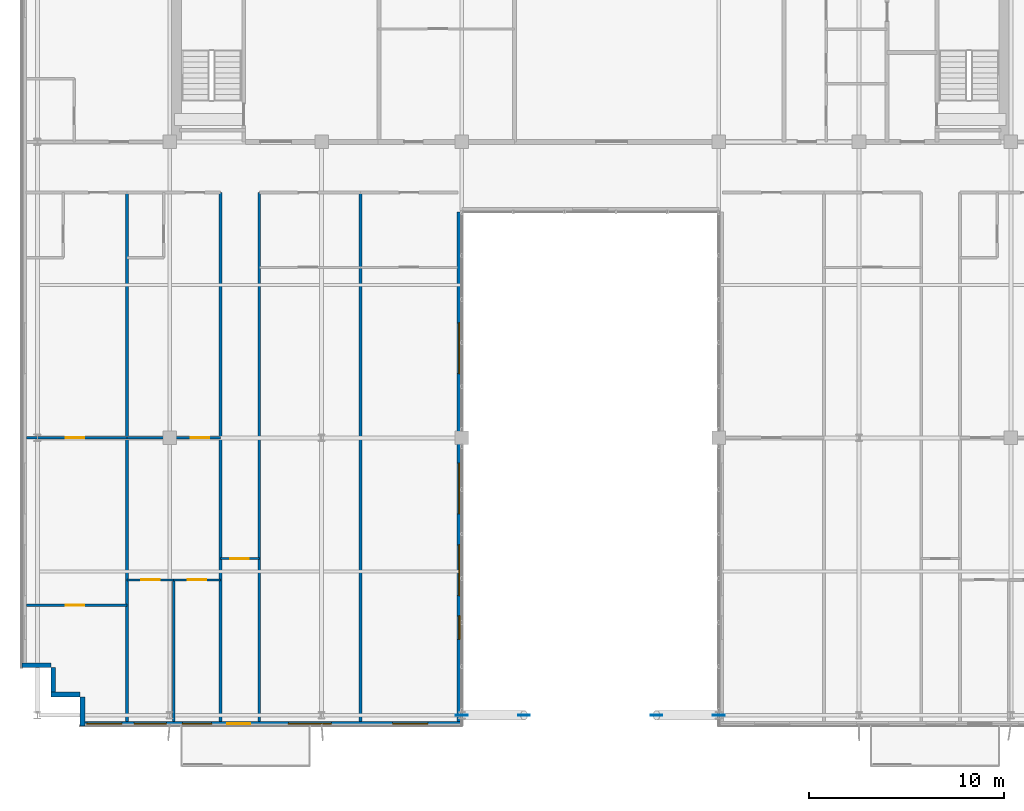
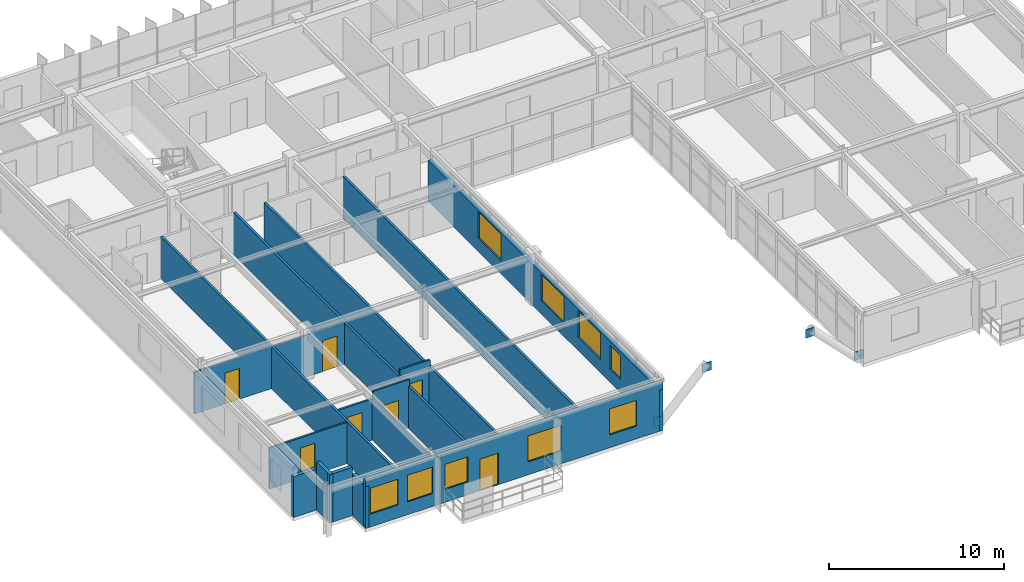
# One storey, part 28 of 35: 17 walls, 9 windows, 7 doors, 4 plates, 16 openings.
"""IFC4 building model written with IfcOpenShell, lengths in metres."""

import ifcopenshell
import ifcopenshell.guid

model = None  # the IFC model being written
_history = None  # IfcOwnerHistory: only IFC2X3 demands one
_inside = {}  # id of a spatial element -> (the spatial element, [elements in it])
_under = {}  # id of a project, library or spatial element -> (it, [spatial elements below it])
_declared = {}  # id of a project -> (the project, [libraries it declares])
_typed = {}  # id of a type object -> (the type object, [elements of that type])
_made_of = {}  # id of a material, layer set ... -> (it, [elements and type objects made of it])


def new_model(schema):
    """Start an empty IFC model of exactly this schema.

    Asked for "IFC4X3", IfcOpenShell would pick the latest addendum, in which some entities
    have other attributes; the version numbers below select the first issue.
    IFC2X3 requires an IfcOwnerHistory on every rooted entity: one is made here for all.
    """
    global model, _history
    if schema == "IFC4X3":
        model = ifcopenshell.file(schema_version=(4, 3, 0, 0))
    else:
        model = ifcopenshell.file(schema=schema)
    _inside.clear()
    _under.clear()
    _declared.clear()
    _typed.clear()
    _made_of.clear()
    _history = None
    if model.schema == "IFC2X3":
        org = make("IfcOrganization", Name="unknown")
        user = make(
            "IfcPersonAndOrganization",
            ThePerson=make("IfcPerson", FamilyName="unknown"),
            TheOrganization=org,
        )
        app = make(
            "IfcApplication",
            ApplicationDeveloper=org,
            Version="unknown",
            ApplicationFullName="unknown",
            ApplicationIdentifier="unknown",
        )
        _history = make(
            "IfcOwnerHistory",
            OwningUser=user,
            OwningApplication=app,
            ChangeAction="ADDED",
            CreationDate=0,
        )
    return model


def make(cls, **values):
    """One entity of the class cls with the attributes given. An attribute that is None is left unset."""
    return model.create_entity(
        cls, **{name: value for name, value in values.items() if value is not None}
    )


def rooted(cls, **values):
    """An entity with a GlobalId (a new one), such as an element, a storey or a relation."""
    return make(cls, GlobalId=ifcopenshell.guid.new(), OwnerHistory=_history, **values)


def si_unit(unit_type, name, prefix=None):
    """IfcSIUnit, for example si_unit("LENGTHUNIT", "METRE", prefix="MILLI")."""
    return make("IfcSIUnit", UnitType=unit_type, Prefix=prefix, Name=name)


def assignment(units):
    """IfcUnitAssignment: the units of a project."""
    return None if units is None else make("IfcUnitAssignment", Units=units)


def point(xyz):
    """IfcCartesianPoint."""
    return None if xyz is None else make("IfcCartesianPoint", Coordinates=xyz)


def direction(xyz):
    """IfcDirection."""
    return None if xyz is None else make("IfcDirection", DirectionRatios=xyz)


def frame(location, z_axis=None, x_axis=None):
    """IfcAxis2Placement3D, a coordinate frame: its origin and axes. An axis left out is left unset."""
    return make(
        "IfcAxis2Placement3D",
        Location=point(location),
        Axis=direction(z_axis),
        RefDirection=direction(x_axis),
    )


def frame_2d(location, x_axis=None):
    """IfcAxis2Placement2D, a coordinate frame in the plane: its origin and x axis."""
    return make(
        "IfcAxis2Placement2D", Location=point(location), RefDirection=direction(x_axis)
    )


def origin():
    """The frame at (0, 0, 0) with its axes left unset."""
    return frame((0.0, 0.0, 0.0))


def origin_2d():
    """The frame at (0, 0) in the plane with its x axis left unset."""
    return frame_2d((0.0, 0.0))


def place(relative_to, where):
    """IfcLocalPlacement: puts the frame where relative to a parent placement (None: the world)."""
    return make(
        "IfcLocalPlacement", PlacementRelTo=relative_to, RelativePlacement=where
    )


def context(
    kind, dimensions, precision=None, world=None, true_north=None, identifier=None
):
    """IfcGeometricRepresentationContext, for example the 3D "Model" context."""
    return make(
        "IfcGeometricRepresentationContext",
        ContextIdentifier=identifier,
        ContextType=kind,
        CoordinateSpaceDimension=dimensions,
        Precision=precision,
        WorldCoordinateSystem=world,
        TrueNorth=true_north,
    )


def subcontext(parent, identifier, kind, view, scale=None):
    """IfcGeometricRepresentationSubContext, for example "Body" below "Model"."""
    return make(
        "IfcGeometricRepresentationSubContext",
        ContextIdentifier=identifier,
        ContextType=kind,
        ParentContext=parent,
        TargetScale=scale,
        TargetView=view,
    )


def project(units=None, contexts=None):
    """IfcProject with its units and contexts."""
    return rooted(
        "IfcProject",
        Name="project",
        RepresentationContexts=contexts,
        UnitsInContext=assignment(units),
    )


def spatial(cls, under=None, at=None, **own):
    """A site, building, storey or space (cls), placed at a placement, below another one or the project."""
    s = rooted(cls, ObjectPlacement=at, **own)
    if under is not None:
        _under.setdefault(under.id(), (under, []))[1].append(s)
    return s


def profile(cls, at=None, kind="AREA", **sizes):
    """A parametric profile (cls). Its sizes go by their IFC names, for example OverallWidth=200.0."""
    return make(cls, ProfileType=kind, Position=at, **sizes)


def rectangle(**sizes):
    """IfcRectangleProfileDef."""
    return profile("IfcRectangleProfileDef", **sizes)


def extrude(swept, where, along, depth):
    """IfcExtrudedAreaSolid: the profile swept, set in the frame where, extruded along a direction by depth."""
    return make(
        "IfcExtrudedAreaSolid",
        SweptArea=swept,
        Position=where,
        ExtrudedDirection=direction(along),
        Depth=depth,
    )


def shape(context_of_items, identifier, shape_type, items):
    """IfcShapeRepresentation: the items that make up one representation, for example the "Body"."""
    return make(
        "IfcShapeRepresentation",
        ContextOfItems=context_of_items,
        RepresentationIdentifier=identifier,
        RepresentationType=shape_type,
        Items=items,
    )


def source(mapping_origin, context_of_items, identifier, shape_type, items):
    """IfcRepresentationMap: a shape defined once, which mapped items show again and again."""
    return make(
        "IfcRepresentationMap",
        MappingOrigin=mapping_origin,
        MappedRepresentation=shape(context_of_items, identifier, shape_type, items),
    )


def transform(
    local_origin,
    x_axis=None,
    y_axis=None,
    z_axis=None,
    scale=None,
    scale2=None,
    scale3=None,
    uniform=True,
):
    """IfcCartesianTransformationOperator3D, or its non-uniform kind. x_axis, y_axis, z_axis: its Axis1, 2, 3."""
    if uniform:
        return make(
            "IfcCartesianTransformationOperator3D",
            Axis1=direction(x_axis),
            Axis2=direction(y_axis),
            LocalOrigin=point(local_origin),
            Scale=scale,
            Axis3=direction(z_axis),
        )
    return make(
        "IfcCartesianTransformationOperator3DnonUniform",
        Axis1=direction(x_axis),
        Axis2=direction(y_axis),
        LocalOrigin=point(local_origin),
        Scale=scale,
        Axis3=direction(z_axis),
        Scale2=scale2,
        Scale3=scale3,
    )


def mapped(mapping_source, mapping_target):
    """IfcMappedItem: shows the shape of a source again, moved by a transform."""
    return make(
        "IfcMappedItem", MappingSource=mapping_source, MappingTarget=mapping_target
    )


def material(Name=None, Category=None):
    """IfcMaterial."""
    return make("IfcMaterial", Name=Name, Category=Category)


def layer(
    of_material, thickness, ventilated=None, Name=None, Category=None, Priority=None
):
    """IfcMaterialLayer: one layer of a wall or slab, of a material (None: an air gap)."""
    return make(
        "IfcMaterialLayer",
        Material=of_material,
        LayerThickness=thickness,
        IsVentilated=ventilated,
        Name=Name,
        Category=Category,
        Priority=Priority,
    )


def layer_set(layers, Name=None):
    """IfcMaterialLayerSet."""
    return make("IfcMaterialLayerSet", MaterialLayers=layers, LayerSetName=Name)


def made_of(thing, what):
    """Note that an element or type object is made of a material, layer set ...; save() writes the relation."""
    if what is not None:
        _made_of.setdefault(what.id(), (what, []))[1].append(thing)
    return thing


def type_object(cls, material=None, **own):
    """A type object (cls), such as IfcWallType, which elements share."""
    return made_of(rooted(cls, **own), material)


def element(
    cls,
    number,
    at=None,
    inside=None,
    cuts=None,
    type_object=None,
    material=None,
    context=None,
    identifier="Body",
    shape_type=None,
    held_by="IfcProductDefinitionShape",
    body=None,
    shapes=None,
    **own,
):
    """One element of the class cls, such as IfcWall. Its Tag is "e" and its number.

    at: its placement. inside: the storey or other place that contains it. cuts: it is an
    opening in that element (IfcRelVoidsElement). A single representation is given by context,
    identifier, shape_type and body (its items); several are given by shapes. held_by: the class
    of the entity that holds the representations. save() writes the other relations.
    """
    e = rooted(cls, Tag="e%d" % number, ObjectPlacement=at, **own)
    if body is not None:
        shapes = [shape(context, identifier, shape_type, body)]
    if shapes is not None:
        e.Representation = make(held_by, Representations=shapes)
    if inside is not None:
        _inside.setdefault(inside.id(), (inside, []))[1].append(e)
    if cuts is not None:
        rooted(
            "IfcRelVoidsElement", RelatingBuildingElement=cuts, RelatedOpeningElement=e
        )
    if type_object is not None:
        _typed.setdefault(type_object.id(), (type_object, []))[1].append(e)
    return made_of(e, material)


def fill(opening, filler):
    """IfcRelFillsElement: the door or window that sits in an opening."""
    return rooted(
        "IfcRelFillsElement",
        RelatingOpeningElement=opening,
        RelatedBuildingElement=filler,
    )


def aggregate(whole, parts):
    """IfcRelAggregates: a whole, such as a stair, and the parts it consists of."""
    return rooted("IfcRelAggregates", RelatingObject=whole, RelatedObjects=parts)


def save(model, path):
    """Write the relations noted so far, then the file.

    IfcRelAggregates (storeys below a building ...), IfcRelContainedInSpatialStructure (elements
    in a storey), IfcRelDefinesByType, IfcRelAssociatesMaterial and IfcRelDeclares: one each for
    every whole, place, type object, material and project.
    """
    for whole, parts in _under.values():
        aggregate(whole, parts)
    for where, things in _inside.values():
        rooted(
            "IfcRelContainedInSpatialStructure",
            RelatedElements=things,
            RelatingStructure=where,
        )
    for kind, things in _typed.values():
        rooted("IfcRelDefinesByType", RelatedObjects=things, RelatingType=kind)
    for what, things in _made_of.values():
        rooted("IfcRelAssociatesMaterial", RelatedObjects=things, RelatingMaterial=what)
    for by, libraries in _declared.values():
        rooted("IfcRelDeclares", RelatingContext=by, RelatedDefinitions=libraries)
    model.write(path)


model = new_model("IFC4")

# Units and contexts
model_context = context("Model", 3, precision=1e-05, world=origin(), true_north=direction((0.0, 1.0)))
body_context = subcontext(model_context, "Body", "Model", "MODEL_VIEW")
ifc_project = project(units=[si_unit("LENGTHUNIT", "METRE"), si_unit("AREAUNIT", "SQUARE_METRE"), si_unit("VOLUMEUNIT", "CUBIC_METRE"), si_unit("PLANEANGLEUNIT", "RADIAN"), si_unit("MASSUNIT", "GRAM", prefix="KILO")], contexts=[model_context])

# Site, building, storey
site_placement = place(None, origin())
site = spatial("IfcSite", under=ifc_project, at=site_placement, CompositionType="ELEMENT")
building_placement = place(site_placement, origin())
building = spatial("IfcBuilding", under=site, at=building_placement, Name="Trelvane Seafront Commons", CompositionType="ELEMENT")
storey_placement = place(building_placement, frame((0.0, 0.0, 194.10009765625)))
storey = spatial("IfcBuildingStorey", under=building, at=storey_placement, Name="L50", CompositionType="ELEMENT", Elevation=194.10009765625)

# Plates
ifc_material_1 = material(Name="Steel SM355 (S355)", Category="steel")
ifc_layer_1 = layer(ifc_material_1, 0.031982421875, Name="STR-PLT-GUS2")
ifc_layer_set_1 = layer_set([ifc_layer_1], Name="Steel SM355 (S355)")
plate_type = type_object("IfcPlateType", Name="STR-PLT-GUS2", PredefinedType="SHEET", material=ifc_layer_set_1)
shared_shape_1 = source(origin(), body_context, "Body", "SweptSolid", [
    extrude(rectangle(XDim=0.60009765625, YDim=0.031982421875, at=origin_2d()), origin(), (0.0, 0.0, 1.0), 0.60009765625),
])
for number, where, z_axis, x_axis, name in (
    (1, (30.60009765625, 3.949951171875, -0.020263671875), (0.0, 0.0, 1.0), (1.0, 0.0, 0.0), "L50 Brace Connection Gusset Plate GP-107"),
    (2, (33.800048828125, 3.949951171875, 2.659912109375), (0.0, 0.0, 1.0), (1.0, 0.0, 0.0), "L50 Brace Connection Gusset Plate GP-108"),
    (3, (43.800048828125, 3.949951171875, -0.020263671875), (0.0, 0.0, 1.0), (1.0, 0.0, 0.0), "L50 Brace Connection Gusset Plate GP-109"),
    (4, (40.60009765625, 3.949951171875, 2.659912109375), (0.0, 0.0, 1.0), (1.0, 0.0, 0.0), "L50 Brace Connection Gusset Plate GP-110"),
):
    element("IfcPlate", number, at=place(storey_placement, frame(where, z_axis=z_axis, x_axis=x_axis)), inside=storey, type_object=plate_type, Name=name, PredefinedType="SHEET", context=body_context, shape_type="MappedRepresentation", body=[
        mapped(shared_shape_1, transform((0.0, 0.0, 0.0), x_axis=(1.0, 0.0, 0.0), y_axis=(0.0, 1.0, 0.0), z_axis=(0.0, 0.0, 1.0), scale=1.0)),
    ])

# Walls
ifc_material_2 = material(Name="Precast concrete C40/50", Category="concrete")
ifc_layer_2 = layer(ifc_material_2, 0.239990234375, Name="ARCH-WALL-EXT240")
ifc_layer_set_2 = layer_set([ifc_layer_2], Name="Precast concrete C40/50")
wall_type_1 = type_object("IfcWallType", Name="ARCH-WALL-EXT240", PredefinedType="SOLIDWALL", material=ifc_layer_set_2)
for number, where, z_axis, x_axis, name in (
    (5, (11.0, 5.02001953125, 0.0), (0.0, 0.0, 1.0), (-1.0, 0.0, 0.0), "EW-L50-00984"),
    (6, (9.6201171875, 4.89990234375, 0.0), (0.0, 0.0, 1.0), (0.0, 1.0, 0.0), "EW-L50-00985"),
):
    element("IfcWall", number, at=place(storey_placement, frame(where, z_axis=z_axis, x_axis=x_axis)), inside=storey, type_object=wall_type_1, Name=name, PredefinedType="SOLIDWALL", context=body_context, shape_type="SweptSolid", body=[
        extrude(rectangle(XDim=1.5, YDim=0.239990234375, at=frame_2d((0.75, 0.0))), origin(), (0.0, 0.0, 1.0), 3.35986328125),
    ])
wall_1_placement = place(storey_placement, frame((9.5, 6.52001953125, 0.0), z_axis=(0.0, 0.0, 1.0), x_axis=(-1.0, 0.0, 0.0)))
element("IfcWall", 7, at=wall_1_placement, inside=storey, type_object=wall_type_1, Name="EW-L50-00986", PredefinedType="SOLIDWALL", context=body_context, shape_type="SweptSolid", body=[
    extrude(rectangle(XDim=1.5, YDim=0.239990234375, at=frame_2d((0.75, 0.0))), origin(), (0.0, 0.0, 1.0), 2.85986328125),
])

# Wall, openings, windows
wall_2_placement = place(storey_placement, frame((30.47998046875, 29.800048828125, 0.0), z_axis=(0.0, 0.0, 1.0), x_axis=(0.0, -1.0, 0.0)))
wall_2 = element("IfcWall", 8, at=wall_2_placement, inside=storey, type_object=wall_type_1, Name="EW-L50-01004", PredefinedType="SOLIDWALL", context=body_context, shape_type="SweptSolid", body=[
    extrude(rectangle(XDim=26.400146484375, YDim=0.239990234375, at=frame_2d((13.2001953125, 0.0))), origin(), (0.0, 0.0, 1.0), 2.85986328125),
])
opening_1_placement = place(wall_2_placement, frame((20.75, 0.0, 0.919921875)))
opening_1 = element("IfcOpeningElement", 9, at=opening_1_placement, cuts=wall_2, Name="Opening W05", PredefinedType="OPENING", context=body_context, shape_type="SweptSolid", body=[
    extrude(rectangle(XDim=1.199951171875, YDim=1.64990234375, at=frame_2d((0.60009765625, 0.824951171875))), frame((0.0, 0.1298828125, 0.0), z_axis=(0.0, -1.0, 0.0), x_axis=(1.0, 0.0, 0.0)), (0.0, 0.0, 1.0), 0.260009765625),
])
opening_2_placement = place(wall_2_placement, frame((17.10009765625, 0.0, 0.919921875)))
opening_2 = element("IfcOpeningElement", 10, at=opening_2_placement, cuts=wall_2, Name="Opening W04", PredefinedType="OPENING", context=body_context, shape_type="SweptSolid", body=[
    extrude(rectangle(XDim=2.60009765625, YDim=1.840087890625, at=frame_2d((1.300048828125, 0.919921875))), frame((0.0, 0.1298828125, 0.0), z_axis=(0.0, -1.0, 0.0), x_axis=(1.0, 0.0, 0.0)), (0.0, 0.0, 1.0), 0.260009765625),
])
opening_3_placement = place(wall_2_placement, frame((12.89990234375, 0.0, 0.919921875)))
opening_3 = element("IfcOpeningElement", 11, at=opening_3_placement, cuts=wall_2, Name="Opening W04", PredefinedType="OPENING", context=body_context, shape_type="SweptSolid", body=[
    extrude(rectangle(XDim=2.60009765625, YDim=1.840087890625, at=frame_2d((1.300048828125, 0.919921875))), frame((0.0, 0.1298828125, 0.0), z_axis=(0.0, -1.0, 0.0), x_axis=(1.0, 0.0, 0.0)), (0.0, 0.0, 1.0), 0.260009765625),
])
opening_4_placement = place(wall_2_placement, frame((5.699951171875, 0.0, 0.919921875)))
opening_4 = element("IfcOpeningElement", 12, at=opening_4_placement, cuts=wall_2, Name="Opening W04", PredefinedType="OPENING", context=body_context, shape_type="SweptSolid", body=[
    extrude(rectangle(XDim=2.60009765625, YDim=1.840087890625, at=frame_2d((1.300048828125, 0.919921875))), frame((0.0, 0.1298828125, 0.0), z_axis=(0.0, -1.0, 0.0), x_axis=(1.0, 0.0, 0.0)), (0.0, 0.0, 1.0), 0.260009765625),
])
ifc_material_3 = material(Name="Low-E coastal double glazing", Category="glass")
window_type_1 = type_object("IfcWindowType", Name="ARCH-WIN-W05", PartitioningType="SINGLE_PANEL", PredefinedType="WINDOW", material=ifc_material_3)
shared_shape_2 = source(origin(), body_context, "Body", "SweptSolid", [
    extrude(rectangle(XDim=1.199951171875, YDim=1.64990234375, at=frame_2d((0.60009765625, 0.824951171875))), frame((0.0, 0.030029296875, 0.0), z_axis=(0.0, -1.0, 0.0), x_axis=(1.0, 0.0, 0.0)), (0.0, 0.0, 1.0), 0.06005859375),
])
window_1_placement = place(opening_1_placement, origin())
window_1 = element("IfcWindow", 13, at=window_1_placement, inside=storey, type_object=window_type_1, Name="WIN-L50-EW-01192", OverallHeight=1.64990234375, OverallWidth=1.199951171875, PartitioningType="SINGLE_PANEL", PredefinedType="WINDOW", context=body_context, shape_type="MappedRepresentation", body=[
    mapped(shared_shape_2, transform((0.0, 0.0, 0.0), x_axis=(1.0, 0.0, 0.0), y_axis=(0.0, 1.0, 0.0), z_axis=(0.0, 0.0, 1.0), scale=1.0)),
])
fill(opening_1, window_1)
window_type_2 = type_object("IfcWindowType", Name="ARCH-WIN-W04", PartitioningType="SINGLE_PANEL", PredefinedType="WINDOW", material=ifc_material_3)
shared_shape_3 = source(origin(), body_context, "Body", "SweptSolid", [
    extrude(rectangle(XDim=2.60009765625, YDim=1.840087890625, at=frame_2d((1.300048828125, 0.919921875))), frame((0.0, 0.030029296875, 0.0), z_axis=(0.0, -1.0, 0.0), x_axis=(1.0, 0.0, 0.0)), (0.0, 0.0, 1.0), 0.06005859375),
])
window_2_placement = place(opening_2_placement, origin())
window_2 = element("IfcWindow", 14, at=window_2_placement, inside=storey, type_object=window_type_2, Name="WIN-L50-EW-01193", OverallHeight=1.840087890625, OverallWidth=2.60009765625, PartitioningType="SINGLE_PANEL", PredefinedType="WINDOW", context=body_context, shape_type="MappedRepresentation", body=[
    mapped(shared_shape_3, transform((0.0, 0.0, 0.0), x_axis=(1.0, 0.0, 0.0), y_axis=(0.0, 1.0, 0.0), z_axis=(0.0, 0.0, 1.0), scale=1.0)),
])
fill(opening_2, window_2)
window_3_placement = place(opening_3_placement, origin())
window_3 = element("IfcWindow", 15, at=window_3_placement, inside=storey, type_object=window_type_2, Name="WIN-L50-EW-01194", OverallHeight=1.840087890625, OverallWidth=2.60009765625, PartitioningType="SINGLE_PANEL", PredefinedType="WINDOW", context=body_context, shape_type="MappedRepresentation", body=[
    mapped(shared_shape_3, transform((0.0, 0.0, 0.0), x_axis=(1.0, 0.0, 0.0), y_axis=(0.0, 1.0, 0.0), z_axis=(0.0, 0.0, 1.0), scale=1.0)),
])
fill(opening_3, window_3)
window_4_placement = place(opening_4_placement, origin())
window_4 = element("IfcWindow", 16, at=window_4_placement, inside=storey, type_object=window_type_2, Name="WIN-L50-EW-01195", OverallHeight=1.840087890625, OverallWidth=2.60009765625, PartitioningType="SINGLE_PANEL", PredefinedType="WINDOW", context=body_context, shape_type="MappedRepresentation", body=[
    mapped(shared_shape_3, transform((0.0, 0.0, 0.0), x_axis=(1.0, 0.0, 0.0), y_axis=(0.0, 1.0, 0.0), z_axis=(0.0, 0.0, 1.0), scale=1.0)),
])
fill(opening_4, window_4)

# Wall, openings, door, windows
wall_3_placement = place(storey_placement, frame((30.60009765625, 3.52001953125, 0.0), z_axis=(0.0, 0.0, 1.0), x_axis=(-1.0, 0.0, 0.0)))
wall_3 = element("IfcWall", 17, at=wall_3_placement, inside=storey, type_object=wall_type_1, Name="EW-L50-01005", PredefinedType="SOLIDWALL", context=body_context, shape_type="SweptSolid", body=[
    extrude(rectangle(XDim=19.60009765625, YDim=0.239990234375, at=frame_2d((9.800048828125, 0.0))), origin(), (0.0, 0.0, 1.0), 3.35986328125),
])
opening_5_placement = place(wall_3_placement, frame((1.7451171875, 0.0, 0.89990234375)))
opening_5 = element("IfcOpeningElement", 18, at=opening_5_placement, cuts=wall_3, Name="Opening W01", PredefinedType="OPENING", context=body_context, shape_type="SweptSolid", body=[
    extrude(rectangle(XDim=1.800048828125, YDim=1.800048828125, at=frame_2d((0.89990234375, 0.89990234375))), frame((0.0, 0.1298828125, 0.0), z_axis=(0.0, -1.0, 0.0), x_axis=(1.0, 0.0, 0.0)), (0.0, 0.0, 1.0), 0.260009765625),
])
opening_6_placement = place(wall_3_placement, frame((6.699951171875, 0.0, 0.89990234375)))
opening_6 = element("IfcOpeningElement", 19, at=opening_6_placement, cuts=wall_3, Name="Opening W02", PredefinedType="OPENING", context=body_context, shape_type="SweptSolid", body=[
    extrude(rectangle(XDim=2.199951171875, YDim=1.800048828125, at=frame_2d((1.10009765625, 0.89990234375))), frame((0.0, 0.1298828125, 0.0), z_axis=(0.0, -1.0, 0.0), x_axis=(1.0, 0.0, 0.0)), (0.0, 0.0, 1.0), 0.260009765625),
])
opening_7_placement = place(wall_3_placement, frame((10.85498046875, 0.0, 0.0)))
opening_7 = element("IfcOpeningElement", 20, at=opening_7_placement, cuts=wall_3, Name="Opening BD-L50-111", PredefinedType="OPENING", context=body_context, shape_type="SweptSolid", body=[
    extrude(rectangle(XDim=1.199951171875, YDim=2.199951171875, at=frame_2d((0.60009765625, 1.10009765625))), frame((0.0, 0.1298828125, 0.0), z_axis=(0.0, -1.0, 0.0), x_axis=(1.0, 0.0, 0.0)), (0.0, 0.0, 1.0), 0.260009765625),
])
opening_8_placement = place(wall_3_placement, frame((12.85009765625, 0.0, 0.89990234375)))
opening_8 = element("IfcOpeningElement", 21, at=opening_8_placement, cuts=wall_3, Name="Opening W03", PredefinedType="OPENING", context=body_context, shape_type="SweptSolid", body=[
    extrude(rectangle(XDim=1.5, YDim=1.75, at=frame_2d((0.75, 0.875))), frame((0.0, 0.1298828125, 0.0), z_axis=(0.0, -1.0, 0.0), x_axis=(1.0, 0.0, 0.0)), (0.0, 0.0, 1.0), 0.260009765625),
])
opening_9_placement = place(wall_3_placement, frame((15.175048828125, 0.0, 0.89990234375)))
opening_9 = element("IfcOpeningElement", 22, at=opening_9_placement, cuts=wall_3, Name="Opening W07", PredefinedType="OPENING", context=body_context, shape_type="SweptSolid", body=[
    extrude(rectangle(XDim=1.64990234375, YDim=1.85009765625, at=frame_2d((0.824951171875, 0.925048828125))), frame((0.0, 0.1298828125, 0.0), z_axis=(0.0, -1.0, 0.0), x_axis=(1.0, 0.0, 0.0)), (0.0, 0.0, 1.0), 0.260009765625),
])
opening_10_placement = place(wall_3_placement, frame((17.455078125, 0.0, 0.89990234375)))
opening_10 = element("IfcOpeningElement", 23, at=opening_10_placement, cuts=wall_3, Name="Opening W01", PredefinedType="OPENING", context=body_context, shape_type="SweptSolid", body=[
    extrude(rectangle(XDim=1.800048828125, YDim=1.800048828125, at=frame_2d((0.89990234375, 0.89990234375))), frame((0.0, 0.1298828125, 0.0), z_axis=(0.0, -1.0, 0.0), x_axis=(1.0, 0.0, 0.0)), (0.0, 0.0, 1.0), 0.260009765625),
])
ifc_material_4 = material(Name="Powder-coated aluminium frame", Category="aluminium")
door_type_1 = type_object("IfcDoorType", Name="ARCH-DR-BAL1200", OperationType="NOTDEFINED", PredefinedType="DOOR", material=ifc_material_4)
shared_shape_4 = source(origin(), body_context, "Body", "SweptSolid", [
    extrude(rectangle(XDim=1.199951171875, YDim=2.199951171875, at=frame_2d((0.60009765625, 1.10009765625))), frame((0.0, 0.02490234375, 0.0), z_axis=(0.0, -1.0, 0.0), x_axis=(1.0, 0.0, 0.0)), (0.0, 0.0, 1.0), 0.050048828125),
])
door_1_placement = place(opening_7_placement, origin())
door_1 = element("IfcDoor", 24, at=door_1_placement, inside=storey, type_object=door_type_1, Name="L50 Balcony Terrace Access Door", OperationType="SINGLE_SWING_LEFT", OverallHeight=2.199951171875, OverallWidth=1.199951171875, PredefinedType="DOOR", context=body_context, shape_type="MappedRepresentation", body=[
    mapped(shared_shape_4, transform((0.0, 0.0, 0.0), x_axis=(1.0, 0.0, 0.0), y_axis=(0.0, 1.0, 0.0), z_axis=(0.0, 0.0, 1.0), scale=1.0)),
])
fill(opening_7, door_1)
window_type_3 = type_object("IfcWindowType", Name="ARCH-WIN-W02", PartitioningType="SINGLE_PANEL", PredefinedType="WINDOW", material=ifc_material_3)
shared_shape_5 = source(origin(), body_context, "Body", "SweptSolid", [
    extrude(rectangle(XDim=2.199951171875, YDim=1.800048828125, at=frame_2d((1.10009765625, 0.89990234375))), frame((0.0, 0.030029296875, 0.0), z_axis=(0.0, -1.0, 0.0), x_axis=(1.0, 0.0, 0.0)), (0.0, 0.0, 1.0), 0.06005859375),
])
window_5_placement = place(opening_6_placement, origin())
window_5 = element("IfcWindow", 25, at=window_5_placement, inside=storey, type_object=window_type_3, Name="WIN-L50-01197", OverallHeight=1.800048828125, OverallWidth=2.199951171875, PartitioningType="SINGLE_PANEL", PredefinedType="WINDOW", context=body_context, shape_type="MappedRepresentation", body=[
    mapped(shared_shape_5, transform((0.0, 0.0, 0.0), x_axis=(1.0, 0.0, 0.0), y_axis=(0.0, 1.0, 0.0), z_axis=(0.0, 0.0, 1.0), scale=1.0)),
])
fill(opening_6, window_5)
window_type_4 = type_object("IfcWindowType", Name="ARCH-WIN-W03", PartitioningType="SINGLE_PANEL", PredefinedType="WINDOW", material=ifc_material_3)
shared_shape_6 = source(origin(), body_context, "Body", "SweptSolid", [
    extrude(rectangle(XDim=1.5, YDim=1.75, at=frame_2d((0.75, 0.875))), frame((0.0, 0.030029296875, 0.0), z_axis=(0.0, -1.0, 0.0), x_axis=(1.0, 0.0, 0.0)), (0.0, 0.0, 1.0), 0.06005859375),
])
window_6_placement = place(opening_8_placement, origin())
window_6 = element("IfcWindow", 26, at=window_6_placement, inside=storey, type_object=window_type_4, Name="WIN-L50-01198", OverallHeight=1.75, OverallWidth=1.5, PartitioningType="SINGLE_PANEL", PredefinedType="WINDOW", context=body_context, shape_type="MappedRepresentation", body=[
    mapped(shared_shape_6, transform((0.0, 0.0, 0.0), x_axis=(1.0, 0.0, 0.0), y_axis=(0.0, 1.0, 0.0), z_axis=(0.0, 0.0, 1.0), scale=1.0)),
])
fill(opening_8, window_6)
window_type_5 = type_object("IfcWindowType", Name="ARCH-WIN-W01", PartitioningType="SINGLE_PANEL", PredefinedType="WINDOW", material=ifc_material_3)
shared_shape_7 = source(origin(), body_context, "Body", "SweptSolid", [
    extrude(rectangle(XDim=1.800048828125, YDim=1.800048828125, at=frame_2d((0.89990234375, 0.89990234375))), frame((0.0, 0.030029296875, 0.0), z_axis=(0.0, -1.0, 0.0), x_axis=(1.0, 0.0, 0.0)), (0.0, 0.0, 1.0), 0.06005859375),
])
window_7_placement = place(opening_5_placement, origin())
window_7 = element("IfcWindow", 27, at=window_7_placement, inside=storey, type_object=window_type_5, Name="WIN-L50-01196", OverallHeight=1.800048828125, OverallWidth=1.800048828125, PartitioningType="SINGLE_PANEL", PredefinedType="WINDOW", context=body_context, shape_type="MappedRepresentation", body=[
    mapped(shared_shape_7, transform((0.0, 0.0, 0.0), x_axis=(1.0, 0.0, 0.0), y_axis=(0.0, 1.0, 0.0), z_axis=(0.0, 0.0, 1.0), scale=1.0)),
])
fill(opening_5, window_7)
window_8_placement = place(opening_10_placement, origin())
window_8 = element("IfcWindow", 28, at=window_8_placement, inside=storey, type_object=window_type_5, Name="WIN-L50-01200", OverallHeight=1.800048828125, OverallWidth=1.800048828125, PartitioningType="SINGLE_PANEL", PredefinedType="WINDOW", context=body_context, shape_type="MappedRepresentation", body=[
    mapped(shared_shape_7, transform((0.0, 0.0, 0.0), x_axis=(1.0, 0.0, 0.0), y_axis=(0.0, 1.0, 0.0), z_axis=(0.0, 0.0, 1.0), scale=1.0)),
])
fill(opening_10, window_8)
window_type_6 = type_object("IfcWindowType", Name="ARCH-WIN-W07", PartitioningType="SINGLE_PANEL", PredefinedType="WINDOW", material=ifc_material_3)
shared_shape_8 = source(origin(), body_context, "Body", "SweptSolid", [
    extrude(rectangle(XDim=1.64990234375, YDim=1.85009765625, at=frame_2d((0.824951171875, 0.925048828125))), frame((0.0, 0.030029296875, 0.0), z_axis=(0.0, -1.0, 0.0), x_axis=(1.0, 0.0, 0.0)), (0.0, 0.0, 1.0), 0.06005859375),
])
window_9_placement = place(opening_9_placement, origin())
window_9 = element("IfcWindow", 29, at=window_9_placement, inside=storey, type_object=window_type_6, Name="WIN-L50-01199", OverallHeight=1.85009765625, OverallWidth=1.64990234375, PartitioningType="SINGLE_PANEL", PredefinedType="WINDOW", context=body_context, shape_type="MappedRepresentation", body=[
    mapped(shared_shape_8, transform((0.0, 0.0, 0.0), x_axis=(1.0, 0.0, 0.0), y_axis=(0.0, 1.0, 0.0), z_axis=(0.0, 0.0, 1.0), scale=1.0)),
])
fill(opening_9, window_9)

# Wall
wall_4_placement = place(storey_placement, frame((11.1201171875, 3.39990234375, 0.0), z_axis=(0.0, 0.0, 1.0), x_axis=(0.0, 1.0, 0.0)))
element("IfcWall", 30, at=wall_4_placement, inside=storey, type_object=wall_type_1, Name="EW-L50-01006", PredefinedType="SOLIDWALL", context=body_context, shape_type="SweptSolid", body=[
    extrude(rectangle(XDim=1.5, YDim=0.239990234375, at=frame_2d((0.75, 0.0))), origin(), (0.0, 0.0, 1.0), 2.909912109375),
])

# Wall, opening, door
ifc_material_5 = material(Name="Gypsum Drywall Acoustic Partition")
ifc_layer_3 = layer(ifc_material_5, 0.1201171875, Name="ARCH-WALL-PART120")
ifc_layer_set_3 = layer_set([ifc_layer_3], Name="Gypsum Drywall Acoustic Partition")
wall_type_2 = type_object("IfcWallType", Name="ARCH-WALL-PART120", PredefinedType="PARTITIONING", material=ifc_layer_set_3)
wall_5_placement = place(storey_placement, frame((8.239990234375, 18.199951171875, 0.0), z_axis=(0.0, 0.0, 1.0), x_axis=(1.0, 0.0, 0.0)))
wall_5 = element("IfcWall", 31, at=wall_5_placement, inside=storey, type_object=wall_type_2, Name="W-L50-U1-KL-051", PredefinedType="PARTITIONING", context=body_context, shape_type="SweptSolid", body=[
    extrude(rectangle(XDim=5.159912109375, YDim=0.1201171875, at=frame_2d((2.580078125, 0.0))), origin(), (0.0, 0.0, 1.0), 2.909912109375),
])
opening_11_placement = place(wall_5_placement, frame((2.013916015625, 0.0, 0.0)))
opening_11 = element("IfcOpeningElement", 32, at=opening_11_placement, cuts=wall_5, Name="Opening D-L50-29", PredefinedType="OPENING", context=body_context, shape_type="SweptSolid", body=[
    extrude(rectangle(XDim=0.949951171875, YDim=2.14990234375, at=frame_2d((0.47509765625, 1.074951171875))), frame((0.0, 0.070068359375, 0.0), z_axis=(0.0, -1.0, 0.0), x_axis=(1.0, 0.0, 0.0)), (0.0, 0.0, 1.0), 0.14013671875),
])
ifc_material_6 = material(Name="Acoustic timber door leaf", Category="wood")
door_type_2 = type_object("IfcDoorType", Name="ARCH-DR-INT950", OperationType="NOTDEFINED", PredefinedType="DOOR", material=ifc_material_6)
shared_shape_9 = source(origin(), body_context, "Body", "SweptSolid", [
    extrude(rectangle(XDim=0.949951171875, YDim=2.14990234375, at=frame_2d((0.47509765625, 1.074951171875))), frame((0.0, 0.02490234375, 0.0), z_axis=(0.0, -1.0, 0.0), x_axis=(1.0, 0.0, 0.0)), (0.0, 0.0, 1.0), 0.050048828125),
])
door_2_placement = place(opening_11_placement, origin())
door_2 = element("IfcDoor", 33, at=door_2_placement, inside=storey, type_object=door_type_2, Name="L50 Door 29", OperationType="SINGLE_SWING_LEFT", OverallHeight=2.14990234375, OverallWidth=0.949951171875, PredefinedType="DOOR", context=body_context, shape_type="MappedRepresentation", body=[
    mapped(shared_shape_9, transform((0.0, 0.0, 0.0), x_axis=(1.0, 0.0, 0.0), y_axis=(0.0, 1.0, 0.0), z_axis=(0.0, 0.0, 1.0), scale=1.0)),
])
fill(opening_11, door_2)

wall_6_placement = place(storey_placement, frame((8.239990234375, 9.60009765625, 0.0), z_axis=(0.0, 0.0, 1.0), x_axis=(1.0, 0.0, 0.0)))
wall_6 = element("IfcWall", 34, at=wall_6_placement, inside=storey, type_object=wall_type_2, Name="W-L50-U1-YM-1-055", PredefinedType="PARTITIONING", context=body_context, shape_type="SweptSolid", body=[
    extrude(rectangle(XDim=5.159912109375, YDim=0.1201171875, at=frame_2d((2.580078125, 0.0))), origin(), (0.0, 0.0, 1.0), 2.85986328125),
])
opening_12_placement = place(wall_6_placement, frame((2.013916015625, 0.0, 0.0)))
opening_12 = element("IfcOpeningElement", 35, at=opening_12_placement, cuts=wall_6, Name="Opening D-L50-32", PredefinedType="OPENING", context=body_context, shape_type="SweptSolid", body=[
    extrude(rectangle(XDim=0.949951171875, YDim=2.14990234375, at=frame_2d((0.47509765625, 1.074951171875))), frame((0.0, 0.070068359375, 0.0), z_axis=(0.0, -1.0, 0.0), x_axis=(1.0, 0.0, 0.0)), (0.0, 0.0, 1.0), 0.14013671875),
])
door_3_placement = place(opening_12_placement, origin())
door_3 = element("IfcDoor", 36, at=door_3_placement, inside=storey, type_object=door_type_2, Name="L50 Door 32", OperationType="SINGLE_SWING_RIGHT", OverallHeight=2.14990234375, OverallWidth=0.949951171875, PredefinedType="DOOR", context=body_context, shape_type="MappedRepresentation", body=[
    mapped(shared_shape_9, transform((0.0, 0.0, 0.0), x_axis=(1.0, 0.0, 0.0), y_axis=(0.0, 1.0, 0.0), z_axis=(0.0, 0.0, 1.0), scale=1.0)),
])
fill(opening_12, door_3)

wall_7_placement = place(storey_placement, frame((13.39990234375, 18.199951171875, 0.0), z_axis=(0.0, 0.0, 1.0), x_axis=(1.0, 0.0, 0.0)))
wall_7 = element("IfcWall", 37, at=wall_7_placement, inside=storey, type_object=wall_type_2, Name="W-L50-U2-KL-056", PredefinedType="PARTITIONING", context=body_context, shape_type="SweptSolid", body=[
    extrude(rectangle(XDim=4.800048828125, YDim=0.1201171875, at=frame_2d((2.39990234375, 0.0))), origin(), (0.0, 0.0, 1.0), 2.909912109375),
])
opening_13_placement = place(wall_7_placement, frame((3.2880859375, 0.0, 0.0)))
opening_13 = element("IfcOpeningElement", 38, at=opening_13_placement, cuts=wall_7, Name="Opening D-L50-33", PredefinedType="OPENING", context=body_context, shape_type="SweptSolid", body=[
    extrude(rectangle(XDim=0.949951171875, YDim=2.14990234375, at=frame_2d((0.47509765625, 1.074951171875))), frame((0.0, 0.070068359375, 0.0), z_axis=(0.0, -1.0, 0.0), x_axis=(1.0, 0.0, 0.0)), (0.0, 0.0, 1.0), 0.14013671875),
])
door_4_placement = place(opening_13_placement, origin())
door_4 = element("IfcDoor", 39, at=door_4_placement, inside=storey, type_object=door_type_2, Name="L50 Door 33", OperationType="SINGLE_SWING_LEFT", OverallHeight=2.14990234375, OverallWidth=0.949951171875, PredefinedType="DOOR", context=body_context, shape_type="MappedRepresentation", body=[
    mapped(shared_shape_9, transform((0.0, 0.0, 0.0), x_axis=(1.0, 0.0, 0.0), y_axis=(0.0, 1.0, 0.0), z_axis=(0.0, 0.0, 1.0), scale=1.0)),
])
fill(opening_13, door_4)

wall_8_placement = place(storey_placement, frame((13.39990234375, 10.89990234375, 0.0), z_axis=(0.0, 0.0, 1.0), x_axis=(1.0, 0.0, 0.0)))
wall_8 = element("IfcWall", 40, at=wall_8_placement, inside=storey, type_object=wall_type_2, Name="W-L50-U2-YM-1-060", PredefinedType="PARTITIONING", context=body_context, shape_type="SweptSolid", body=[
    extrude(rectangle(XDim=2.400146484375, YDim=0.1201171875, at=frame_2d((1.2001953125, 0.0))), origin(), (0.0, 0.0, 1.0), 2.85986328125),
])
opening_14_placement = place(wall_8_placement, frame((0.72509765625, 0.0, 0.0)))
opening_14 = element("IfcOpeningElement", 41, at=opening_14_placement, cuts=wall_8, Name="Opening D-L50-36", PredefinedType="OPENING", context=body_context, shape_type="SweptSolid", body=[
    extrude(rectangle(XDim=0.949951171875, YDim=2.14990234375, at=frame_2d((0.47509765625, 1.074951171875))), frame((0.0, 0.070068359375, 0.0), z_axis=(0.0, -1.0, 0.0), x_axis=(1.0, 0.0, 0.0)), (0.0, 0.0, 1.0), 0.14013671875),
])
door_5_placement = place(opening_14_placement, origin())
door_5 = element("IfcDoor", 42, at=door_5_placement, inside=storey, type_object=door_type_2, Name="L50 Door 36", OperationType="SINGLE_SWING_RIGHT", OverallHeight=2.14990234375, OverallWidth=0.949951171875, PredefinedType="DOOR", context=body_context, shape_type="MappedRepresentation", body=[
    mapped(shared_shape_9, transform((0.0, 0.0, 0.0), x_axis=(1.0, 0.0, 0.0), y_axis=(0.0, 1.0, 0.0), z_axis=(0.0, 0.0, 1.0), scale=1.0)),
])
fill(opening_14, door_5)

wall_9_placement = place(storey_placement, frame((15.800048828125, 10.89990234375, 0.0), z_axis=(0.0, 0.0, 1.0), x_axis=(1.0, 0.0, 0.0)))
wall_9 = element("IfcWall", 43, at=wall_9_placement, inside=storey, type_object=wall_type_2, Name="W-L50-U2-YM-2-061", PredefinedType="PARTITIONING", context=body_context, shape_type="SweptSolid", body=[
    extrude(rectangle(XDim=2.39990234375, YDim=0.1201171875, at=frame_2d((1.199951171875, 0.0))), origin(), (0.0, 0.0, 1.0), 3.35986328125),
])
opening_15_placement = place(wall_9_placement, frame((0.72509765625, 0.0, 0.0)))
opening_15 = element("IfcOpeningElement", 44, at=opening_15_placement, cuts=wall_9, Name="Opening D-L50-37", PredefinedType="OPENING", context=body_context, shape_type="SweptSolid", body=[
    extrude(rectangle(XDim=0.949951171875, YDim=2.14990234375, at=frame_2d((0.47509765625, 1.074951171875))), frame((0.0, 0.070068359375, 0.0), z_axis=(0.0, -1.0, 0.0), x_axis=(1.0, 0.0, 0.0)), (0.0, 0.0, 1.0), 0.14013671875),
])
door_6_placement = place(opening_15_placement, origin())
door_6 = element("IfcDoor", 45, at=door_6_placement, inside=storey, type_object=door_type_2, Name="L50 Door 37", OperationType="SINGLE_SWING_LEFT", OverallHeight=2.14990234375, OverallWidth=0.949951171875, PredefinedType="DOOR", context=body_context, shape_type="MappedRepresentation", body=[
    mapped(shared_shape_9, transform((0.0, 0.0, 0.0), x_axis=(1.0, 0.0, 0.0), y_axis=(0.0, 1.0, 0.0), z_axis=(0.0, 0.0, 1.0), scale=1.0)),
])
fill(opening_15, door_6)

# Wall
wall_10_placement = place(storey_placement, frame((15.800048828125, 3.625, 0.0), z_axis=(0.0, 0.0, 1.0), x_axis=(0.0, 1.0, 0.0)))
element("IfcWall", 46, at=wall_10_placement, inside=storey, type_object=wall_type_2, Name="W-L50-U2-BDV-1-062", PredefinedType="PARTITIONING", context=body_context, shape_type="SweptSolid", body=[
    extrude(rectangle(XDim=7.27490234375, YDim=0.1201171875, at=frame_2d((3.637451171875, 0.0))), origin(), (0.0, 0.0, 1.0), 2.909912109375),
])

# Wall, opening, door
wall_11_placement = place(storey_placement, frame((18.199951171875, 12.0, 0.0), z_axis=(0.0, 0.0, 1.0), x_axis=(1.0, 0.0, 0.0)))
wall_11 = element("IfcWall", 47, at=wall_11_placement, inside=storey, type_object=wall_type_2, Name="W-L50-ARM-END-3-065", PredefinedType="PARTITIONING", context=body_context, shape_type="SweptSolid", body=[
    extrude(rectangle(XDim=2.0, YDim=0.1201171875, at=frame_2d((1.0, 0.0))), origin(), (0.0, 0.0, 1.0), 3.35986328125),
])
opening_16_placement = place(wall_11_placement, frame((0.52001953125, 0.0, 0.0)))
opening_16 = element("IfcOpeningElement", 48, at=opening_16_placement, cuts=wall_11, Name="Opening D-L50-38", PredefinedType="OPENING", context=body_context, shape_type="SweptSolid", body=[
    extrude(rectangle(XDim=0.949951171875, YDim=2.14990234375, at=frame_2d((0.47509765625, 1.074951171875))), frame((0.0, 0.070068359375, 0.0), z_axis=(0.0, -1.0, 0.0), x_axis=(1.0, 0.0, 0.0)), (0.0, 0.0, 1.0), 0.14013671875),
])
door_7_placement = place(opening_16_placement, origin())
door_7 = element("IfcDoor", 49, at=door_7_placement, inside=storey, type_object=door_type_2, Name="L50 Door 38", OperationType="SINGLE_SWING_RIGHT", OverallHeight=2.14990234375, OverallWidth=0.949951171875, PredefinedType="DOOR", context=body_context, shape_type="MappedRepresentation", body=[
    mapped(shared_shape_9, transform((0.0, 0.0, 0.0), x_axis=(1.0, 0.0, 0.0), y_axis=(0.0, 1.0, 0.0), z_axis=(0.0, 0.0, 1.0), scale=1.0)),
])
fill(opening_16, door_7)

# Walls
ifc_layer_4 = layer(ifc_material_5, 0.14990234375, Name="ARCH-WALL-PART150")
ifc_layer_set_4 = layer_set([ifc_layer_4], Name="Gypsum Drywall Acoustic Partition")
wall_type_3 = type_object("IfcWallType", Name="ARCH-WALL-PART150", PredefinedType="PARTITIONING", material=ifc_layer_set_4)
for number, where, z_axis, x_axis, name in (
    (50, (13.39990234375, 3.625, 0.0), (0.0, 0.0, 1.0), (0.0, 1.0, 0.0), "W-L50-PW-1-047"),
    (51, (25.39990234375, 3.625, 0.0), (0.0, 0.0, 1.0), (0.0, 1.0, 0.0), "W-L50-PW-4-048"),
    (52, (18.199951171875, 3.625, 0.0), (0.0, 0.0, 1.0), (0.0, 1.0, 0.0), "W-L50-ARM-W-3-063"),
    (53, (20.199951171875, 3.625, 0.0), (0.0, 0.0, 1.0), (0.0, 1.0, 0.0), "W-L50-ARM-E-3-064"),
):
    element("IfcWall", number, at=place(storey_placement, frame(where, z_axis=z_axis, x_axis=x_axis)), inside=storey, type_object=wall_type_3, Name=name, PredefinedType="PARTITIONING", context=body_context, shape_type="SweptSolid", body=[
        extrude(rectangle(XDim=27.175048828125, YDim=0.14990234375, at=frame_2d((13.58740234375, 0.0))), origin(), (0.0, 0.0, 1.0), 2.909912109375),
    ])

save(model, "model.ifc")
